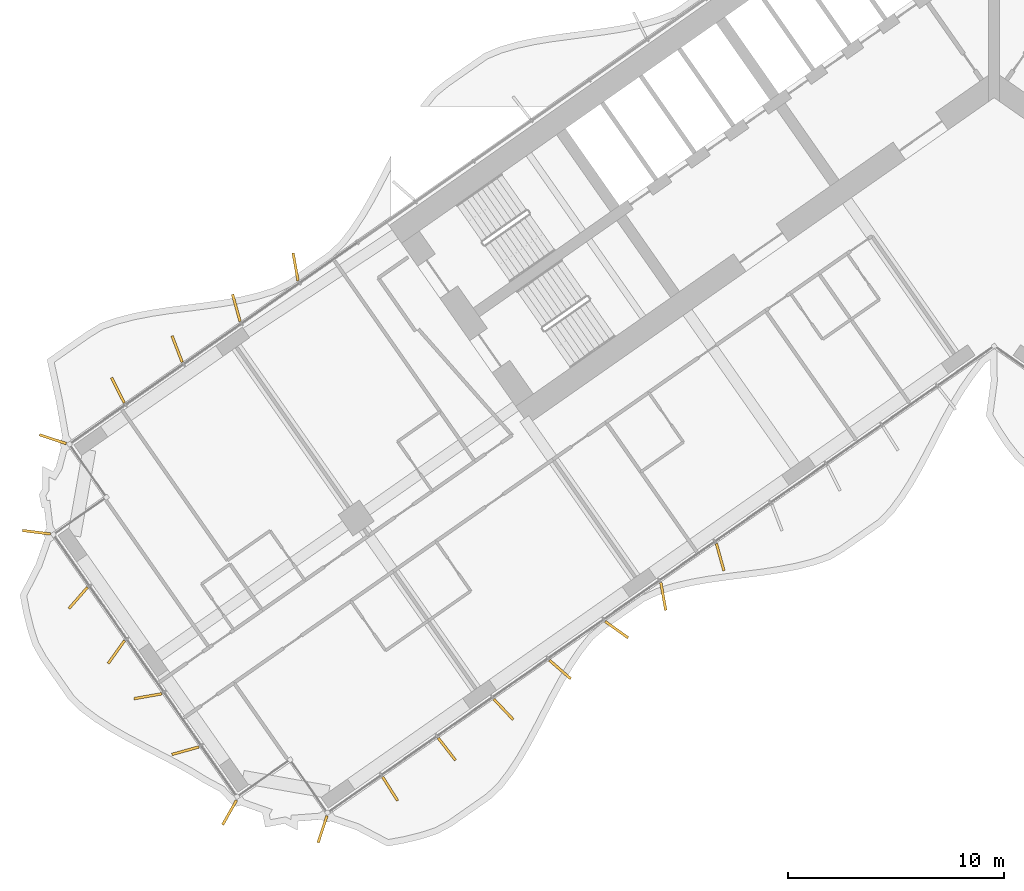
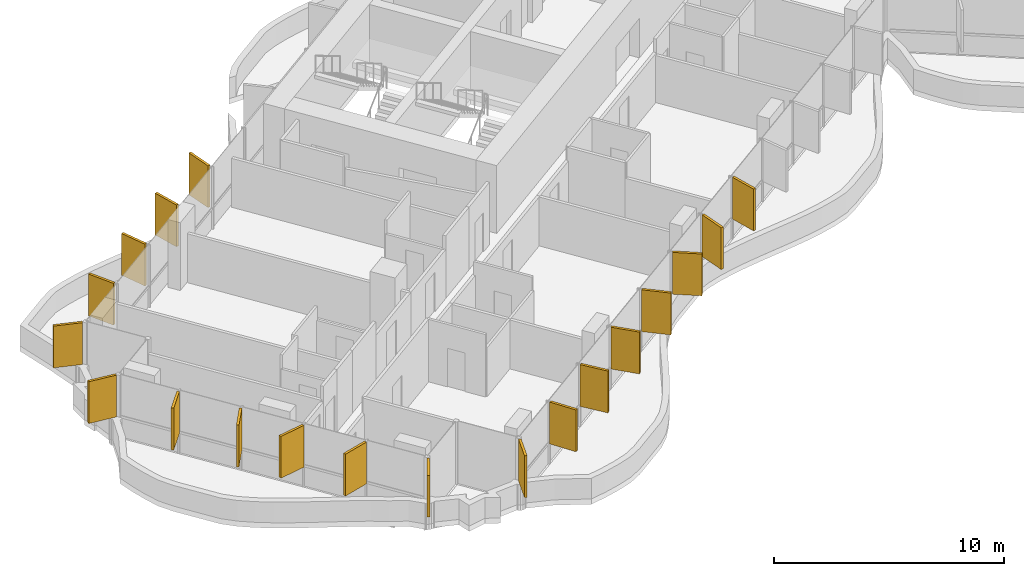
# One storey, part 19 of 25: 19 shading devices.
"""IFC4 building model written with IfcOpenShell, lengths in metres."""

import ifcopenshell
import ifcopenshell.guid

model = None  # the IFC model being written
_history = None  # IfcOwnerHistory: only IFC2X3 demands one
_inside = {}  # id of a spatial element -> (the spatial element, [elements in it])
_under = {}  # id of a project, library or spatial element -> (it, [spatial elements below it])
_declared = {}  # id of a project -> (the project, [libraries it declares])
_typed = {}  # id of a type object -> (the type object, [elements of that type])
_made_of = {}  # id of a material, layer set ... -> (it, [elements and type objects made of it])


def new_model(schema):
    """Start an empty IFC model of exactly this schema.

    Asked for "IFC4X3", IfcOpenShell would pick the latest addendum, in which some entities
    have other attributes; the version numbers below select the first issue.
    IFC2X3 requires an IfcOwnerHistory on every rooted entity: one is made here for all.
    """
    global model, _history
    if schema == "IFC4X3":
        model = ifcopenshell.file(schema_version=(4, 3, 0, 0))
    else:
        model = ifcopenshell.file(schema=schema)
    _inside.clear()
    _under.clear()
    _declared.clear()
    _typed.clear()
    _made_of.clear()
    _history = None
    if model.schema == "IFC2X3":
        org = make("IfcOrganization", Name="unknown")
        user = make(
            "IfcPersonAndOrganization",
            ThePerson=make("IfcPerson", FamilyName="unknown"),
            TheOrganization=org,
        )
        app = make(
            "IfcApplication",
            ApplicationDeveloper=org,
            Version="unknown",
            ApplicationFullName="unknown",
            ApplicationIdentifier="unknown",
        )
        _history = make(
            "IfcOwnerHistory",
            OwningUser=user,
            OwningApplication=app,
            ChangeAction="ADDED",
            CreationDate=0,
        )
    return model


def make(cls, **values):
    """One entity of the class cls with the attributes given. An attribute that is None is left unset."""
    return model.create_entity(
        cls, **{name: value for name, value in values.items() if value is not None}
    )


def rooted(cls, **values):
    """An entity with a GlobalId (a new one), such as an element, a storey or a relation."""
    return make(cls, GlobalId=ifcopenshell.guid.new(), OwnerHistory=_history, **values)


def si_unit(unit_type, name, prefix=None):
    """IfcSIUnit, for example si_unit("LENGTHUNIT", "METRE", prefix="MILLI")."""
    return make("IfcSIUnit", UnitType=unit_type, Prefix=prefix, Name=name)


def assignment(units):
    """IfcUnitAssignment: the units of a project."""
    return None if units is None else make("IfcUnitAssignment", Units=units)


def point(xyz):
    """IfcCartesianPoint."""
    return None if xyz is None else make("IfcCartesianPoint", Coordinates=xyz)


def direction(xyz):
    """IfcDirection."""
    return None if xyz is None else make("IfcDirection", DirectionRatios=xyz)


def frame(location, z_axis=None, x_axis=None):
    """IfcAxis2Placement3D, a coordinate frame: its origin and axes. An axis left out is left unset."""
    return make(
        "IfcAxis2Placement3D",
        Location=point(location),
        Axis=direction(z_axis),
        RefDirection=direction(x_axis),
    )


def frame_2d(location, x_axis=None):
    """IfcAxis2Placement2D, a coordinate frame in the plane: its origin and x axis."""
    return make(
        "IfcAxis2Placement2D", Location=point(location), RefDirection=direction(x_axis)
    )


def origin():
    """The frame at (0, 0, 0) with its axes left unset."""
    return frame((0.0, 0.0, 0.0))


def origin_2d():
    """The frame at (0, 0) in the plane with its x axis left unset."""
    return frame_2d((0.0, 0.0))


def place(relative_to, where):
    """IfcLocalPlacement: puts the frame where relative to a parent placement (None: the world)."""
    return make(
        "IfcLocalPlacement", PlacementRelTo=relative_to, RelativePlacement=where
    )


def context(
    kind, dimensions, precision=None, world=None, true_north=None, identifier=None
):
    """IfcGeometricRepresentationContext, for example the 3D "Model" context."""
    return make(
        "IfcGeometricRepresentationContext",
        ContextIdentifier=identifier,
        ContextType=kind,
        CoordinateSpaceDimension=dimensions,
        Precision=precision,
        WorldCoordinateSystem=world,
        TrueNorth=true_north,
    )


def subcontext(parent, identifier, kind, view, scale=None):
    """IfcGeometricRepresentationSubContext, for example "Body" below "Model"."""
    return make(
        "IfcGeometricRepresentationSubContext",
        ContextIdentifier=identifier,
        ContextType=kind,
        ParentContext=parent,
        TargetScale=scale,
        TargetView=view,
    )


def project(units=None, contexts=None):
    """IfcProject with its units and contexts."""
    return rooted(
        "IfcProject",
        Name="project",
        RepresentationContexts=contexts,
        UnitsInContext=assignment(units),
    )


def spatial(cls, under=None, at=None, **own):
    """A site, building, storey or space (cls), placed at a placement, below another one or the project."""
    s = rooted(cls, ObjectPlacement=at, **own)
    if under is not None:
        _under.setdefault(under.id(), (under, []))[1].append(s)
    return s


def profile(cls, at=None, kind="AREA", **sizes):
    """A parametric profile (cls). Its sizes go by their IFC names, for example OverallWidth=200.0."""
    return make(cls, ProfileType=kind, Position=at, **sizes)


def rectangle(**sizes):
    """IfcRectangleProfileDef."""
    return profile("IfcRectangleProfileDef", **sizes)


def extrude(swept, where, along, depth):
    """IfcExtrudedAreaSolid: the profile swept, set in the frame where, extruded along a direction by depth."""
    return make(
        "IfcExtrudedAreaSolid",
        SweptArea=swept,
        Position=where,
        ExtrudedDirection=direction(along),
        Depth=depth,
    )


def shape(context_of_items, identifier, shape_type, items):
    """IfcShapeRepresentation: the items that make up one representation, for example the "Body"."""
    return make(
        "IfcShapeRepresentation",
        ContextOfItems=context_of_items,
        RepresentationIdentifier=identifier,
        RepresentationType=shape_type,
        Items=items,
    )


def material(Name=None, Category=None):
    """IfcMaterial."""
    return make("IfcMaterial", Name=Name, Category=Category)


def layer(
    of_material, thickness, ventilated=None, Name=None, Category=None, Priority=None
):
    """IfcMaterialLayer: one layer of a wall or slab, of a material (None: an air gap)."""
    return make(
        "IfcMaterialLayer",
        Material=of_material,
        LayerThickness=thickness,
        IsVentilated=ventilated,
        Name=Name,
        Category=Category,
        Priority=Priority,
    )


def layer_set(layers, Name=None):
    """IfcMaterialLayerSet."""
    return make("IfcMaterialLayerSet", MaterialLayers=layers, LayerSetName=Name)


def made_of(thing, what):
    """Note that an element or type object is made of a material, layer set ...; save() writes the relation."""
    if what is not None:
        _made_of.setdefault(what.id(), (what, []))[1].append(thing)
    return thing


def type_object(cls, material=None, **own):
    """A type object (cls), such as IfcWallType, which elements share."""
    return made_of(rooted(cls, **own), material)


def element(
    cls,
    number,
    at=None,
    inside=None,
    cuts=None,
    type_object=None,
    material=None,
    context=None,
    identifier="Body",
    shape_type=None,
    held_by="IfcProductDefinitionShape",
    body=None,
    shapes=None,
    **own,
):
    """One element of the class cls, such as IfcWall. Its Tag is "e" and its number.

    at: its placement. inside: the storey or other place that contains it. cuts: it is an
    opening in that element (IfcRelVoidsElement). A single representation is given by context,
    identifier, shape_type and body (its items); several are given by shapes. held_by: the class
    of the entity that holds the representations. save() writes the other relations.
    """
    e = rooted(cls, Tag="e%d" % number, ObjectPlacement=at, **own)
    if body is not None:
        shapes = [shape(context, identifier, shape_type, body)]
    if shapes is not None:
        e.Representation = make(held_by, Representations=shapes)
    if inside is not None:
        _inside.setdefault(inside.id(), (inside, []))[1].append(e)
    if cuts is not None:
        rooted(
            "IfcRelVoidsElement", RelatingBuildingElement=cuts, RelatedOpeningElement=e
        )
    if type_object is not None:
        _typed.setdefault(type_object.id(), (type_object, []))[1].append(e)
    return made_of(e, material)


def aggregate(whole, parts):
    """IfcRelAggregates: a whole, such as a stair, and the parts it consists of."""
    return rooted("IfcRelAggregates", RelatingObject=whole, RelatedObjects=parts)


def save(model, path):
    """Write the relations noted so far, then the file.

    IfcRelAggregates (storeys below a building ...), IfcRelContainedInSpatialStructure (elements
    in a storey), IfcRelDefinesByType, IfcRelAssociatesMaterial and IfcRelDeclares: one each for
    every whole, place, type object, material and project.
    """
    for whole, parts in _under.values():
        aggregate(whole, parts)
    for where, things in _inside.values():
        rooted(
            "IfcRelContainedInSpatialStructure",
            RelatedElements=things,
            RelatingStructure=where,
        )
    for kind, things in _typed.values():
        rooted("IfcRelDefinesByType", RelatedObjects=things, RelatingType=kind)
    for what, things in _made_of.values():
        rooted("IfcRelAssociatesMaterial", RelatedObjects=things, RelatingMaterial=what)
    for by, libraries in _declared.values():
        rooted("IfcRelDeclares", RelatingContext=by, RelatedDefinitions=libraries)
    model.write(path)


model = new_model("IFC4")

# Units and contexts
model_context = context("Model", 3, precision=1e-05, world=origin(), true_north=direction((0.0, 1.0)))
body_context = subcontext(model_context, "Body", "Model", "MODEL_VIEW")
ifc_project = project(units=[si_unit("LENGTHUNIT", "METRE"), si_unit("AREAUNIT", "SQUARE_METRE"), si_unit("VOLUMEUNIT", "CUBIC_METRE"), si_unit("PLANEANGLEUNIT", "RADIAN"), si_unit("MASSUNIT", "GRAM", prefix="KILO")], contexts=[model_context])

# Site, building, storey
site_placement = place(None, origin())
site = spatial("IfcSite", under=ifc_project, at=site_placement, CompositionType="ELEMENT")
building_placement = place(site_placement, origin())
building = spatial("IfcBuilding", under=site, at=building_placement, Name="Tel Ilan Convention Tower", CompositionType="ELEMENT")
storey_placement = place(building_placement, frame((0.0, 0.0, 76.10009765625)))
storey = spatial("IfcBuildingStorey", under=building, at=storey_placement, Name="L14", CompositionType="ELEMENT", Elevation=76.10009765625)

# Shading devices
ifc_material = material(Name="Aluminium, bronze anodised", Category="aluminium")
ifc_layer = layer(ifc_material, 0.1201171875)
ifc_layer_set = layer_set([ifc_layer], Name="FIN BRONZE 1300x120")
shading_device_type = type_object("IfcShadingDeviceType", Name="FIN BRONZE 1300x120", PredefinedType="USERDEFINED", material=ifc_layer_set)
for number, where, z_axis, x_axis, name in (
    (1, (-32.29052734375, -9.04248046875, 1.10009765625), (0.0, 0.0, 1.0), (-0.173648177667, 0.984807753012, 0.0), "FIN"),
    (2, (-35.029052734375, -10.9375, 1.10009765625), (0.0, 0.0, 1.0), (-0.268172612768, 0.963370878614, 0.0), "FIN"),
    (3, (-37.765869140625, -12.838623046875, 1.10009765625), (0.0, 0.0, 1.0), (-0.360177724803, 0.932883704733, 0.0), "FIN"),
    (4, (-40.50048828125, -14.74560546875, 1.10009765625), (0.0, 0.0, 1.0), (-0.448799180206, 0.893632640321, 0.0), "FIN"),
    (5, (-43.509521484375, -17.00390625, 1.10009765625), (0.0, 0.0, 1.0), (-0.949242643575, 0.314544756146, 0.0), "FIN"),
    (6, (-44.268310546875, -21.305908203125, 1.10009765625), (0.0, 0.0, 1.0), (-0.992066016082, 0.125718016748, 0.0), "FIN"),
    (7, (-42.339111328125, -24.34326171875, 1.10009765625), (0.0, 0.0, 1.0), (-0.657521368568, -0.753435896329, 0.0), "FIN"),
    (8, (-40.573486328125, -26.843017578125, 1.10009765625), (0.0, 0.0, 1.0), (-0.581492071294, -0.813552070258, 0.0), "FIN"),
    (9, (-39.119384765625, -28.887451171875, 1.10009765625), (0.0, 0.0, 1.0), (-0.984807753012, -0.173648177667, 0.0), "FIN"),
    (10, (-37.38037109375, -31.4033203125, 1.10009765625), (0.0, 0.0, 1.0), (-0.963370878614, -0.268172612768, 0.0), "FIN"),
    (11, (-35.34033203125, -34.260498046875, 1.10009765625), (0.0, 0.0, 1.0), (-0.491579408049, -0.870832754082, 0.0), "FIN"),
    (12, (-31.045166015625, -35.037109375, 1.10009765625), (0.0, 0.0, 1.0), (-0.314544756146, -0.949242643575, 0.0), "FIN"),
    (13, (-27.92138671875, -33.164306640625, 1.10009765625), (0.0, 0.0, 1.0), (0.533204432798, -0.845986425922, 0.0), "FIN"),
    (14, (-25.2998046875, -31.328857421875, 1.10009765625), (0.0, 0.0, 1.0), (0.612600545196, -0.790392669516, 0.0), "FIN"),
    (15, (-22.6787109375, -29.4931640625, 1.10009765625), (0.0, 0.0, 1.0), (0.686241637865, -0.727373641577, 0.0), "FIN"),
    (16, (-20.061767578125, -27.65283203125, 1.10009765625), (0.0, 0.0, 1.0), (0.753435896329, -0.657521368568, 0.0), "FIN"),
    (17, (-17.44970703125, -25.80859375, 1.10009765625), (0.0, 0.0, 1.0), (0.813552070258, -0.581492071294, 0.0), "FIN"),
    (18, (-15.29248046875, -24.275634765625, 1.10009765625), (0.0, 0.0, 1.0), (0.173648177667, -0.984807753012, 0.0), "FIN"),
    (19, (-12.664306640625, -22.457763671875, 1.10009765625), (0.0, 0.0, 1.0), (0.268172612768, -0.963370878614, 0.0), "FIN"),
):
    element("IfcShadingDevice", number, at=place(storey_placement, frame(where, z_axis=z_axis, x_axis=x_axis)), inside=storey, type_object=shading_device_type, Name=name, ObjectType="FIN", PredefinedType="USERDEFINED", context=body_context, shape_type="SweptSolid", body=[
        extrude(rectangle(XDim=1.300048828125, YDim=0.1201171875, at=origin_2d()), origin(), (0.0, 0.0, 1.0), 2.219970703125),
    ])

save(model, "model.ifc")
